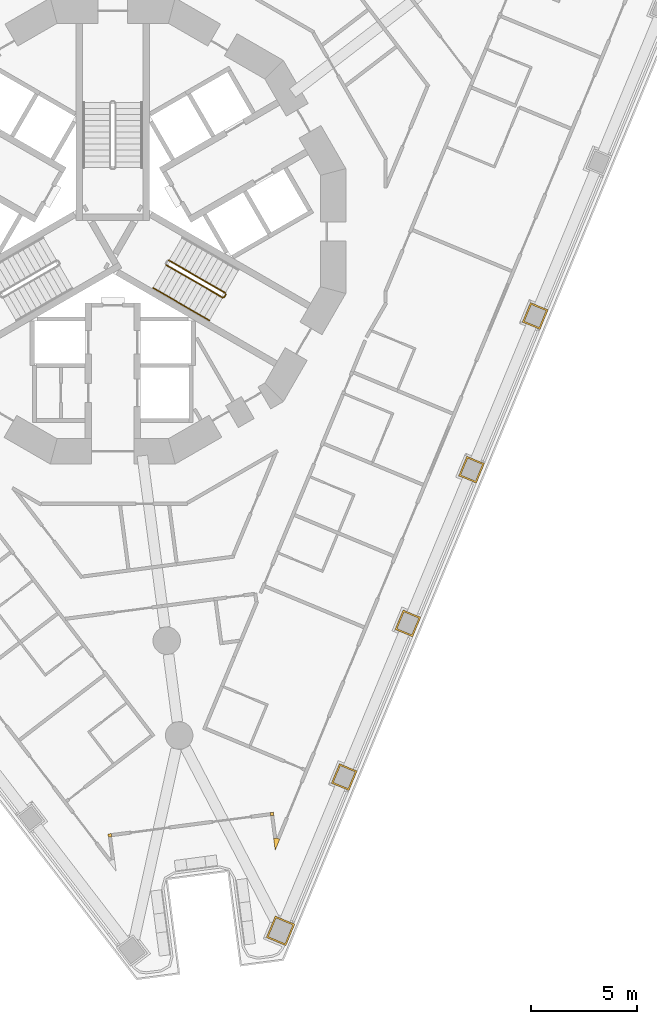
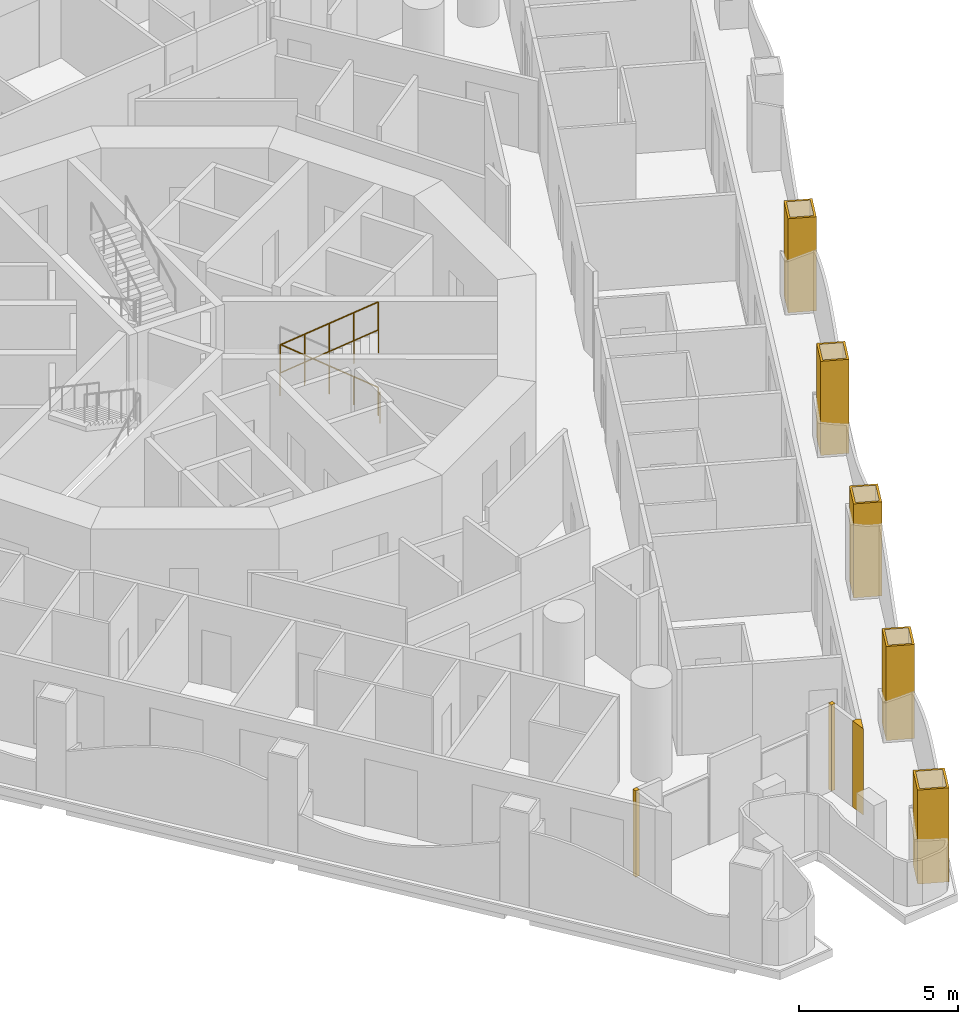
# One storey, part 14 of 19: 8 coverings, 5 railings.
"""IFC4 building model written with IfcOpenShell, lengths in metres."""

from ifc_helpers import new_model, si_unit, direction, frame, origin, origin_2d, place, context, subcontext, project, spatial, polyline, circle, outline, extrude, material, layer, layer_set, type_object, element, save


model = new_model("IFC4")

# Units and contexts
model_context = context("Model", 3, precision=1e-05, world=origin(), true_north=direction((0.0, 1.0)))
body_context = subcontext(model_context, "Body", "Model", "MODEL_VIEW")
ifc_project = project(units=[si_unit("LENGTHUNIT", "METRE"), si_unit("AREAUNIT", "SQUARE_METRE"), si_unit("VOLUMEUNIT", "CUBIC_METRE"), si_unit("PLANEANGLEUNIT", "RADIAN"), si_unit("MASSUNIT", "GRAM", prefix="KILO")], contexts=[model_context])

# Site, building, storey
site_placement = place(None, origin())
site = spatial("IfcSite", under=ifc_project, at=site_placement, CompositionType="ELEMENT")
building_placement = place(site_placement, origin())
building = spatial("IfcBuilding", under=site, at=building_placement, Name="Trine Commons Tower", CompositionType="ELEMENT")
storey_placement = place(building_placement, frame((0.0, 0.0, 72.0)))
storey = spatial("IfcBuildingStorey", under=building, at=storey_placement, Name="L17", CompositionType="ELEMENT", Elevation=72.0)

# Coverings
ifc_material_1 = material(Name="Aluminium-framed insulated wall panel", Category="aluminium")
ifc_layer_1 = layer(ifc_material_1, 0.14990234375)
ifc_layer_set_1 = layer_set([ifc_layer_1], Name="Aluminium-framed insulated wall panel")
covering_type_1 = type_object("IfcCoveringType", Name="Glazing corner post, aluminium", PredefinedType="CLADDING", material=ifc_layer_set_1)
covering_1_placement = place(storey_placement, origin())
element("IfcCovering", 1, at=covering_1_placement, inside=storey, type_object=covering_type_1, Name="Glazing corner post 2-09", PredefinedType="CLADDING", context=body_context, shape_type="SweptSolid", body=[
    extrude(outline(polyline([(87.6015625, 33.79736328125), (87.674560546875, 33.242431640625), (87.888916015625, 33.759521484375), (87.750244140625, 33.81689453125), (87.6015625, 33.79736328125)])), origin(), (0.0, 0.0, 1.0), 3.300048828125),
])
covering_2_placement = place(storey_placement, origin())
element("IfcCovering", 2, at=covering_2_placement, inside=storey, type_object=covering_type_1, Name="Glazing corner post 2-10", PredefinedType="CLADDING", context=body_context, shape_type="SweptSolid", body=[
    extrude(outline(polyline([(87.440185546875, 35.0224609375), (87.459716796875, 34.873779296875), (87.6083984375, 34.893310546875), (87.5888671875, 35.0419921875), (87.440185546875, 35.0224609375)])), origin(), (0.0, 0.0, 1.0), 3.300048828125),
])
covering_3_placement = place(storey_placement, origin())
element("IfcCovering", 3, at=covering_3_placement, inside=storey, type_object=covering_type_1, Name="Glazing corner post 2-11", PredefinedType="CLADDING", context=body_context, shape_type="SweptSolid", body=[
    extrude(outline(polyline([(79.7958984375, 33.864990234375), (79.944580078125, 33.884521484375), (79.925048828125, 34.033203125), (79.7763671875, 34.013671875), (79.7958984375, 33.864990234375)])), origin(), (0.0, 0.0, 1.0), 3.300048828125),
])
ifc_material_2 = material(Name="Limestone, honed", Category="masonry")
ifc_layer_2 = layer(ifc_material_2, 0.074951171875)
ifc_layer_set_2 = layer_set([ifc_layer_2], Name="Limestone, honed")
covering_type_2 = type_object("IfcCoveringType", Name="Limestone column cladding 75", PredefinedType="CLADDING", material=ifc_layer_set_2)
covering_4_placement = place(storey_placement, origin())
element("IfcCovering", 4, at=covering_4_placement, inside=storey, type_object=covering_type_2, Name="Limestone pier cladding 2-20", PredefinedType="CLADDING", context=body_context, shape_type="SweptSolid", body=[
    extrude(outline(polyline([(100.5673828125, 58.77587890625), (99.73583984375, 59.120361328125), (99.35302734375, 58.196533203125), (100.1845703125, 57.852294921875), (100.5673828125, 58.77587890625)]), holes=[polyline([(100.46923828125, 58.7353515625), (99.7763671875, 59.0224609375), (99.451171875, 58.2373046875), (100.14404296875, 57.9501953125), (100.46923828125, 58.7353515625)])]), origin(), (0.0, 0.0, 1.0), 3.60009765625),
])
covering_5_placement = place(storey_placement, origin())
element("IfcCovering", 5, at=covering_5_placement, inside=storey, type_object=covering_type_2, Name="Limestone pier cladding 2-21", PredefinedType="CLADDING", context=body_context, shape_type="SweptSolid", body=[
    extrude(outline(polyline([(97.55908203125, 51.513916015625), (96.727783203125, 51.858154296875), (96.344970703125, 50.934326171875), (97.176513671875, 50.590087890625), (97.55908203125, 51.513916015625)]), holes=[polyline([(97.461181640625, 51.47314453125), (96.768310546875, 51.76025390625), (96.443115234375, 50.97509765625), (97.135986328125, 50.68798828125), (97.461181640625, 51.47314453125)])]), origin(), (0.0, 0.0, 1.0), 3.60009765625),
])
covering_6_placement = place(storey_placement, origin())
element("IfcCovering", 6, at=covering_6_placement, inside=storey, type_object=covering_type_2, Name="Limestone pier cladding 2-22", PredefinedType="CLADDING", context=body_context, shape_type="SweptSolid", body=[
    extrude(outline(polyline([(94.551025390625, 44.251708984375), (93.719482421875, 44.59619140625), (93.3369140625, 43.67236328125), (94.16845703125, 43.327880859375), (94.551025390625, 44.251708984375)]), holes=[polyline([(94.453125, 44.211181640625), (93.76025390625, 44.498291015625), (93.434814453125, 43.712890625), (94.127685546875, 43.42578125), (94.453125, 44.211181640625)])]), origin(), (0.0, 0.0, 1.0), 3.60009765625),
])
covering_7_placement = place(storey_placement, origin())
element("IfcCovering", 7, at=covering_7_placement, inside=storey, type_object=covering_type_2, Name="Limestone pier cladding 2-23", PredefinedType="CLADDING", context=body_context, shape_type="SweptSolid", body=[
    extrude(outline(polyline([(91.54296875, 36.989501953125), (90.71142578125, 37.333984375), (90.328857421875, 36.41015625), (91.160400390625, 36.065673828125), (91.54296875, 36.989501953125)]), holes=[polyline([(91.445068359375, 36.948974609375), (90.752197265625, 37.236083984375), (90.4267578125, 36.45068359375), (91.11962890625, 36.16357421875), (91.445068359375, 36.948974609375)])]), origin(), (0.0, 0.0, 1.0), 3.60009765625),
])
covering_8_placement = place(storey_placement, origin())
element("IfcCovering", 8, at=covering_8_placement, inside=storey, type_object=covering_type_2, Name="Limestone pier cladding 2-24", PredefinedType="CLADDING", context=body_context, shape_type="SweptSolid", body=[
    extrude(outline(polyline([(88.60009765625, 29.75439453125), (87.67626953125, 30.13720703125), (87.25537109375, 29.120849609375), (88.17919921875, 28.738037109375), (88.60009765625, 29.75439453125)]), holes=[polyline([(88.502197265625, 29.7138671875), (87.716796875, 30.0390625), (87.353515625, 29.161376953125), (88.138671875, 28.836181640625), (88.502197265625, 29.7138671875)])]), origin(), (0.0, 0.0, 1.0), 3.60009765625),
])

# Railings
ifc_material_3 = material(Name="Stainless steel balustrade", Category="steel")
railing_type_1 = type_object("IfcRailingType", Name="Stair guard, steel balustrade 1100", PredefinedType="GUARDRAIL", material=ifc_material_3)
railing_1_placement = place(storey_placement, frame((85.31982421875, 59.572998046875, 0.14990234375)))
element("IfcRailing", 9, at=railing_1_placement, inside=storey, type_object=railing_type_1, Name="L17 ST3A stair guard 1", PredefinedType="GUARDRAIL", context=body_context, shape_type="SweptSolid", body=[
    extrude(circle(Radius=0.02392578125, at=origin_2d()), frame((0.0, 0.0, 1.076171875), z_axis=(-0.763379768245, 0.440728498818, 0.472239049384), x_axis=(-0.499992328818, -0.866029832698, 0.0)), (0.0, 0.0, 1.0), 3.494384765625),
    extrude(circle(Radius=0.02099609375, at=origin_2d()), origin(), (0.0, 0.0, 1.0), 1.052001953125),
    extrude(circle(Radius=0.02099609375, at=origin_2d()), frame((-0.6669921875, 0.385009765625, 0.41259765625)), (0.0, 0.0, 1.0), 1.052001953125),
    extrude(circle(Radius=0.02099609375, at=origin_2d()), frame((-1.333740234375, 0.77001953125, 0.8251953125)), (0.0, 0.0, 1.0), 1.052001953125),
    extrude(circle(Radius=0.02099609375, at=origin_2d()), frame((-2.00048828125, 1.155029296875, 1.237548828125)), (0.0, 0.0, 1.0), 1.052001953125),
    extrude(circle(Radius=0.02099609375, at=origin_2d()), frame((-2.66748046875, 1.5400390625, 1.650146484375)), (0.0, 0.0, 1.0), 1.052001953125),
])
railing_2_placement = place(storey_placement, frame((82.52734375, 60.896484375, 1.949951171875)))
element("IfcRailing", 10, at=railing_2_placement, inside=storey, type_object=railing_type_1, Name="L17 ST3A stair guard 3", PredefinedType="GUARDRAIL", context=body_context, shape_type="SweptSolid", body=[
    extrude(circle(Radius=0.02392578125, at=origin_2d()), frame((0.0, 0.0, 1.076171875), z_axis=(0.763379768245, -0.440728498818, 0.472239049384), x_axis=(0.499992328818, 0.866029832698, 0.0)), (0.0, 0.0, 1.0), 3.494384765625),
    extrude(circle(Radius=0.02099609375, at=origin_2d()), origin(), (0.0, 0.0, 1.0), 1.052001953125),
    extrude(circle(Radius=0.02099609375, at=origin_2d()), frame((0.6669921875, -0.385009765625, 0.41259765625)), (0.0, 0.0, 1.0), 1.052001953125),
    extrude(circle(Radius=0.02099609375, at=origin_2d()), frame((1.333740234375, -0.77001953125, 0.8251953125)), (0.0, 0.0, 1.0), 1.052001953125),
    extrude(circle(Radius=0.02099609375, at=origin_2d()), frame((2.00048828125, -1.155029296875, 1.237548828125)), (0.0, 0.0, 1.0), 1.052001953125),
    extrude(circle(Radius=0.02099609375, at=origin_2d()), frame((2.66748046875, -1.5400390625, 1.650146484375)), (0.0, 0.0, 1.0), 1.052001953125),
])
railing_3_placement = place(storey_placement, frame((85.338134765625, 59.504638671875, 0.0)))
element("IfcRailing", 11, at=railing_3_placement, inside=storey, type_object=railing_type_1, Name="L17 ST3A stair guard 4", PredefinedType="GUARDRAIL", context=body_context, shape_type="SweptSolid", body=[
    extrude(circle(Radius=0.02392578125, at=origin_2d()), frame((0.0, 0.0, 1.076171875), z_axis=(-0.499816412211, -0.866131372301, 0.0), x_axis=(0.866131372301, -0.499816412211, 0.0)), (0.0, 0.0, 1.0), 0.14990234375),
    extrude(circle(Radius=0.02099609375, at=origin_2d()), origin(), (0.0, 0.0, 1.0), 1.052001953125),
    extrude(circle(Radius=0.02099609375, at=origin_2d()), frame((-0.074951171875, -0.1298828125, 0.0)), (0.0, 0.0, 1.0), 1.052001953125),
])
ifc_material_4 = material(Name="Stainless steel handrail", Category="steel")
railing_type_2 = type_object("IfcRailingType", Name="Stair handrail, steel 900", PredefinedType="HANDRAIL", material=ifc_material_4)
railing_4_placement = place(storey_placement, frame((81.90234375, 59.81396484375, 1.949951171875)))
element("IfcRailing", 12, at=railing_4_placement, inside=storey, type_object=railing_type_2, Name="L17 ST3A stair handrail 3", PredefinedType="HANDRAIL", context=body_context, shape_type="SweptSolid", body=[
    extrude(circle(Radius=0.02099609375, at=origin_2d()), frame((0.0, 0.0, 0.87890625), z_axis=(0.76340495495, -0.440743040072, 0.472184759798), x_axis=(0.499992328818, 0.866029832698, 0.0)), (0.0, 0.0, 1.0), 1.7470703125),
    extrude(circle(Radius=0.01513671875, at=origin_2d()), origin(), (0.0, 0.0, 1.0), 0.85791015625),
    extrude(circle(Radius=0.01513671875, at=origin_2d()), frame((0.6669921875, -0.385009765625, 0.41259765625)), (0.0, 0.0, 1.0), 0.85791015625),
    extrude(circle(Radius=0.01513671875, at=origin_2d()), frame((1.333740234375, -0.77001953125, 0.824951171875)), (0.0, 0.0, 1.0), 0.85791015625),
])
railing_5_placement = place(storey_placement, frame((83.236083984375, 59.0439453125, 2.77490234375)))
element("IfcRailing", 13, at=railing_5_placement, inside=storey, type_object=railing_type_2, Name="L17 ST3A stair handrail 4", PredefinedType="HANDRAIL", context=body_context, shape_type="SweptSolid", body=[
    extrude(circle(Radius=0.02099609375, at=origin_2d()), frame((0.0, 0.0, 0.87890625), z_axis=(0.763354580307, -0.440713956853, 0.472293333596), x_axis=(0.499992328818, 0.866029832698, 0.0)), (0.0, 0.0, 1.0), 1.747314453125),
    extrude(circle(Radius=0.01513671875, at=origin_2d()), origin(), (0.0, 0.0, 1.0), 0.85791015625),
    extrude(circle(Radius=0.01513671875, at=origin_2d()), frame((0.6669921875, -0.385009765625, 0.41259765625)), (0.0, 0.0, 1.0), 0.85791015625),
    extrude(circle(Radius=0.01513671875, at=origin_2d()), frame((1.333740234375, -0.77001953125, 0.8251953125)), (0.0, 0.0, 1.0), 0.85791015625),
])

save(model, "model.ifc")
